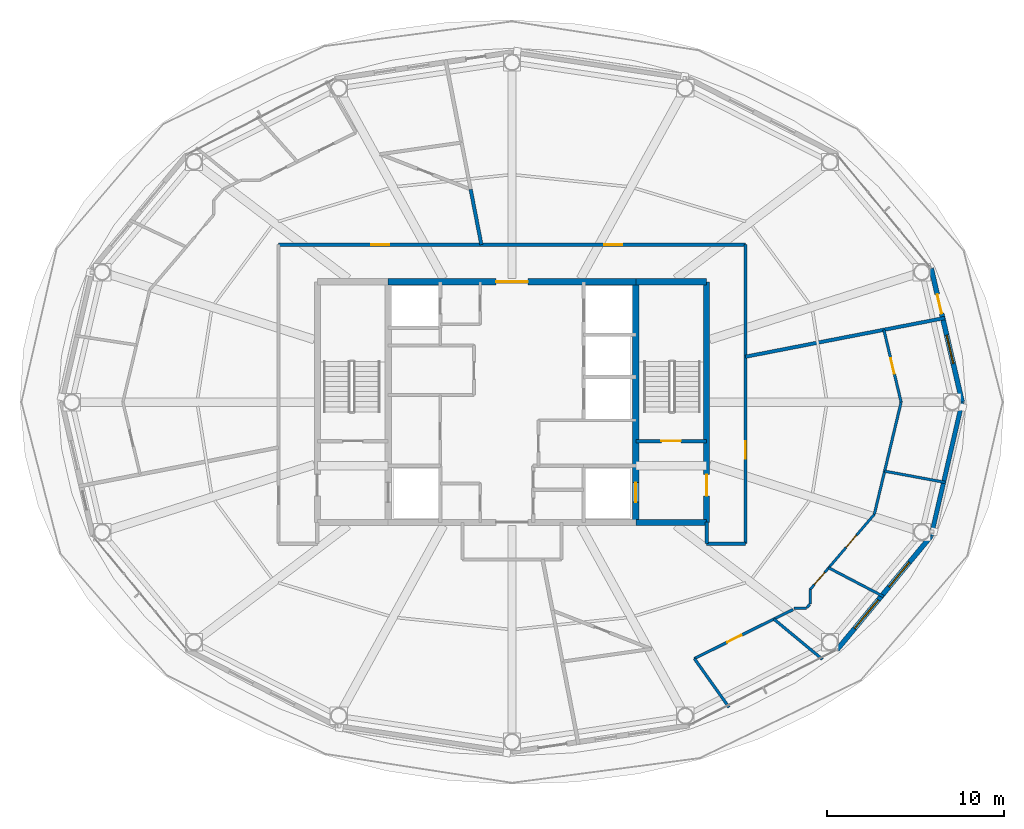
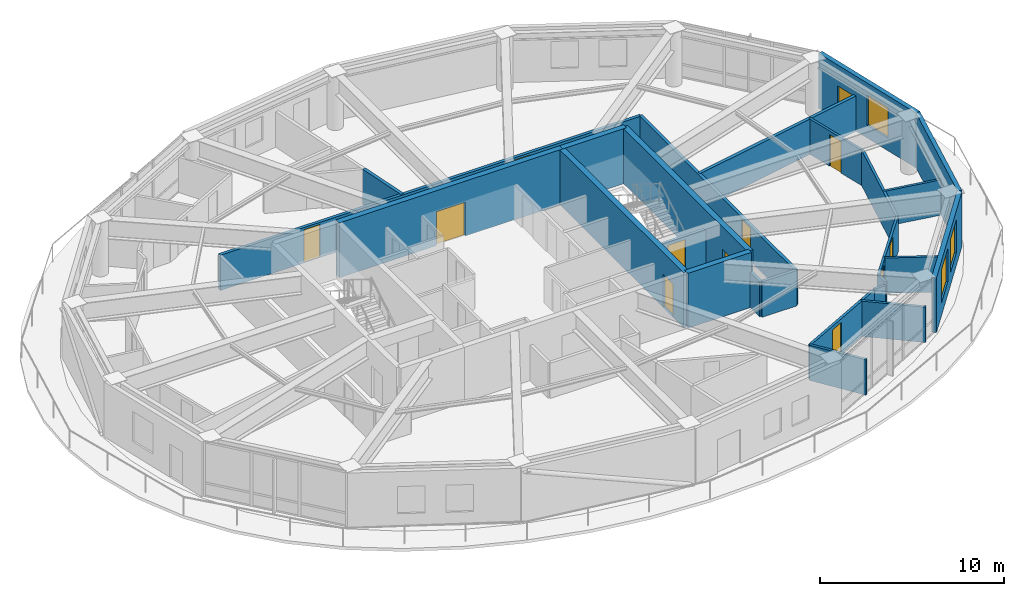
# One storey, part 20 of 24: 26 walls, 12 doors, 3 windows, 15 openings.
"""IFC4 building model written with IfcOpenShell, lengths in metres."""

from ifc_helpers import new_model, si_unit, direction, frame, frame_2d, origin, place, context, subcontext, project, spatial, rectangle, extrude, material, layer, layer_set, type_object, element, fill, save


model = new_model("IFC4")

# Units and contexts
model_context = context("Model", 3, precision=1e-05, world=origin(), true_north=direction((0.0, 1.0)))
body_context = subcontext(model_context, "Body", "Model", "MODEL_VIEW")
ifc_project = project(units=[si_unit("LENGTHUNIT", "METRE"), si_unit("AREAUNIT", "SQUARE_METRE"), si_unit("VOLUMEUNIT", "CUBIC_METRE"), si_unit("PLANEANGLEUNIT", "RADIAN"), si_unit("MASSUNIT", "GRAM", prefix="KILO")], contexts=[model_context])

# Site, building, storey
site_placement = place(None, origin())
site = spatial("IfcSite", under=ifc_project, at=site_placement, CompositionType="ELEMENT")
building_placement = place(site_placement, origin())
building = spatial("IfcBuilding", under=site, at=building_placement, Name="Sarneth Arch Tower", CompositionType="ELEMENT")
storey_placement = place(building_placement, frame((0.0, 0.0, 312.60009765625)))
storey = spatial("IfcBuildingStorey", under=building, at=storey_placement, Name="L81", CompositionType="ELEMENT", Elevation=312.60009765625)

# Wall
ifc_material_1 = material(Name="Concrete C50/60", Category="concrete")
ifc_layer_1 = layer(ifc_material_1, 0.35009765625)
ifc_layer_set_1 = layer_set([ifc_layer_1], Name="Concrete C50/60")
wall_type_1 = type_object("IfcWallType", Name="WALL-CORE-350", PredefinedType="SHEAR", material=ifc_layer_set_1)
wall_1_placement = place(storey_placement, frame((55.0, 35.199951171875, 0.0), z_axis=(0.0, 0.0, 1.0), x_axis=(1.0, 0.0, 0.0)))
element("IfcWall", 1, at=wall_1_placement, inside=storey, type_object=wall_type_1, Name="L81 Core shear wall S-E", PredefinedType="SHEAR", context=body_context, shape_type="SweptSolid", body=[
    extrude(rectangle(XDim=4.0, YDim=0.35009765625, at=frame_2d((2.0, 0.0))), origin(), (0.0, 0.0, 1.0), 3.639892578125),
])

# Wall, opening, door
wall_2_placement = place(storey_placement, frame((41.0, 48.800048828125, 0.0), z_axis=(0.0, 0.0, 1.0), x_axis=(1.0, 0.0, 0.0)))
wall_2 = element("IfcWall", 2, at=wall_2_placement, inside=storey, type_object=wall_type_1, Name="L81 Core shear wall N-M", PredefinedType="SHEAR", context=body_context, shape_type="SweptSolid", body=[
    extrude(rectangle(XDim=14.0, YDim=0.35009765625, at=frame_2d((7.0, 0.0))), origin(), (0.0, 0.0, 1.0), 3.639892578125),
])
opening_1_placement = place(wall_2_placement, frame((6.10009765625, 0.0, 0.0)))
opening_1 = element("IfcOpeningElement", 3, at=opening_1_placement, cuts=wall_2, Name="Opening FD-01", PredefinedType="OPENING", context=body_context, shape_type="SweptSolid", body=[
    extrude(rectangle(XDim=1.800048828125, YDim=2.25, at=frame_2d((0.89990234375, 1.125))), frame((0.0, 0.18505859375, 0.0), z_axis=(0.0, -1.0, 0.0), x_axis=(1.0, 0.0, 0.0)), (0.0, 0.0, 1.0), 0.3701171875),
])
ifc_material_2 = material(Name="Galvanised Steel S275 fire door set", Category="steel")
door_type_1 = type_object("IfcDoorType", Name="DR-FD90-1800", OperationType="DOUBLE_DOOR_SINGLE_SWING", PredefinedType="DOOR", material=ifc_material_2)
door_1_placement = place(opening_1_placement, origin())
door_1 = element("IfcDoor", 4, at=door_1_placement, inside=storey, type_object=door_type_1, Name="L81 Central lift lobby north door", OperationType="DOUBLE_DOOR_SINGLE_SWING", OverallHeight=2.25, OverallWidth=1.800048828125, PredefinedType="DOOR", context=body_context, shape_type="SweptSolid", body=[
    extrude(rectangle(XDim=1.800048828125, YDim=2.25, at=frame_2d((0.89990234375, 1.125))), frame((0.0, 0.02490234375, 0.0), z_axis=(0.0, -1.0, 0.0), x_axis=(1.0, 0.0, 0.0)), (0.0, 0.0, 1.0), 0.050048828125),
])
fill(opening_1, door_1)

# Wall
wall_3_placement = place(storey_placement, frame((55.0, 48.800048828125, 0.0), z_axis=(0.0, 0.0, 1.0), x_axis=(1.0, 0.0, 0.0)))
element("IfcWall", 5, at=wall_3_placement, inside=storey, type_object=wall_type_1, Name="L81 Core shear wall N-E", PredefinedType="SHEAR", context=body_context, shape_type="SweptSolid", body=[
    extrude(rectangle(XDim=4.0, YDim=0.35009765625, at=frame_2d((2.0, 0.0))), origin(), (0.0, 0.0, 1.0), 3.639892578125),
])

# Wall, opening, door
wall_4_placement = place(storey_placement, frame((59.0, 35.199951171875, 0.0), z_axis=(0.0, 0.0, 1.0), x_axis=(0.0, 1.0, 0.0)))
wall_4 = element("IfcWall", 6, at=wall_4_placement, inside=storey, type_object=wall_type_1, Name="L81 Core shear wall E", PredefinedType="SHEAR", context=body_context, shape_type="SweptSolid", body=[
    extrude(rectangle(XDim=13.60009765625, YDim=0.35009765625, at=frame_2d((6.800048828125, 0.0))), origin(), (0.0, 0.0, 1.0), 3.639892578125),
])
opening_2_placement = place(wall_4_placement, frame((1.5, 0.0, 0.0)))
opening_2 = element("IfcOpeningElement", 7, at=opening_2_placement, cuts=wall_4, Name="Opening FD-02", PredefinedType="OPENING", context=body_context, shape_type="SweptSolid", body=[
    extrude(rectangle(XDim=1.199951171875, YDim=2.14990234375, at=frame_2d((0.60009765625, 1.074951171875))), frame((0.0, 0.18505859375, 0.0), z_axis=(0.0, -1.0, 0.0), x_axis=(1.0, 0.0, 0.0)), (0.0, 0.0, 1.0), 0.3701171875),
])
ifc_material_3 = material(Name="Galvanised Steel S275 fire door set", Category="steel")
door_type_2 = type_object("IfcDoorType", Name="DR-FD90-1200", OperationType="SINGLE_SWING_LEFT", PredefinedType="DOOR", material=ifc_material_3)
door_2_placement = place(opening_2_placement, origin())
door_2 = element("IfcDoor", 8, at=door_2_placement, inside=storey, type_object=door_type_2, Name="L81 Firefighting lobby 2 exit door", OperationType="SINGLE_SWING_RIGHT", OverallHeight=2.14990234375, OverallWidth=1.199951171875, PredefinedType="DOOR", context=body_context, shape_type="SweptSolid", body=[
    extrude(rectangle(XDim=1.199951171875, YDim=2.14990234375, at=frame_2d((0.60009765625, 1.074951171875))), frame((0.0, 0.02490234375, 0.0), z_axis=(0.0, -1.0, 0.0), x_axis=(1.0, 0.0, 0.0)), (0.0, 0.0, 1.0), 0.050048828125),
])
fill(opening_2, door_2)

wall_5_placement = place(storey_placement, frame((55.0, 35.199951171875, 0.0), z_axis=(0.0, 0.0, 1.0), x_axis=(0.0, 1.0, 0.0)))
wall_5 = element("IfcWall", 9, at=wall_5_placement, inside=storey, type_object=wall_type_1, Name="L81 Core shear wall WEB-E", PredefinedType="SHEAR", context=body_context, shape_type="SweptSolid", body=[
    extrude(rectangle(XDim=13.60009765625, YDim=0.35009765625, at=frame_2d((6.800048828125, 0.0))), origin(), (0.0, 0.0, 1.0), 3.639892578125),
])
opening_3_placement = place(wall_5_placement, frame((1.14990234375, 0.0, 0.0)))
opening_3 = element("IfcOpeningElement", 10, at=opening_3_placement, cuts=wall_5, Name="Opening LD-1", PredefinedType="OPENING", context=body_context, shape_type="SweptSolid", body=[
    extrude(rectangle(XDim=1.10009765625, YDim=2.199951171875, at=frame_2d((0.550048828125, 1.10009765625))), frame((0.0, 0.18505859375, 0.0), z_axis=(0.0, -1.0, 0.0), x_axis=(1.0, 0.0, 0.0)), (0.0, 0.0, 1.0), 0.3701171875),
])
ifc_material_4 = material(Name="Brushed Stainless Steel 304 lift landing door", Category="steel")
door_type_3 = type_object("IfcDoorType", Name="DR-LIFT-SLIDE-1100", OperationType="SLIDING_TO_LEFT", PredefinedType="DOOR", material=ifc_material_4)
door_3_placement = place(opening_3_placement, origin())
door_3 = element("IfcDoor", 11, at=door_3_placement, inside=storey, type_object=door_type_3, Name="L81 Firefighting lift landing door FL-2", OperationType="SLIDING_TO_RIGHT", OverallHeight=2.199951171875, OverallWidth=1.10009765625, PredefinedType="DOOR", context=body_context, shape_type="SweptSolid", body=[
    extrude(rectangle(XDim=1.10009765625, YDim=2.199951171875, at=frame_2d((0.550048828125, 1.10009765625))), frame((0.0, 0.02490234375, 0.0), z_axis=(0.0, -1.0, 0.0), x_axis=(1.0, 0.0, 0.0)), (0.0, 0.0, 1.0), 0.050048828125),
])
fill(opening_3, door_3)

# Wall, openings, doors
ifc_material_5 = material(Name="Double steel-stud corridor fire wall", Category="steel")
ifc_layer_2 = layer(ifc_material_5, 0.18994140625)
ifc_layer_set_2 = layer_set([ifc_layer_2], Name="Double steel-stud corridor fire wall")
wall_type_2 = type_object("IfcWallType", Name="WALL-CORR-190", PredefinedType="PARTITIONING", material=ifc_layer_set_2)
wall_6_placement = place(storey_placement, frame((34.800048828125, 50.89990234375, 0.0), z_axis=(0.0, 0.0, 1.0), x_axis=(1.0, 0.0, 0.0)))
wall_6 = element("IfcWall", 12, at=wall_6_placement, inside=storey, type_object=wall_type_2, Name="L81 Interior partition W-L81-TP-001", PredefinedType="PARTITIONING", context=body_context, shape_type="SweptSolid", body=[
    extrude(rectangle(XDim=26.39990234375, YDim=0.18994140625, at=frame_2d((13.199951171875, 0.0))), origin(), (0.0, 0.0, 1.0), 2.33984375),
])
opening_4_placement = place(wall_6_placement, frame((18.418701171875, 0.0, 0.0)))
opening_4 = element("IfcOpeningElement", 13, at=opening_4_placement, cuts=wall_6, Name="Opening FD-08", PredefinedType="OPENING", context=body_context, shape_type="SweptSolid", body=[
    extrude(rectangle(XDim=1.0, YDim=2.199951171875, at=frame_2d((0.5, 1.10009765625))), frame((0.0, 0.10498046875, 0.0), z_axis=(0.0, -1.0, 0.0), x_axis=(1.0, 0.0, 0.0)), (0.0, 0.0, 1.0), 0.2099609375),
])
opening_5_placement = place(wall_6_placement, frame((5.251220703125, 0.0, 0.0)))
opening_5 = element("IfcOpeningElement", 14, at=opening_5_placement, cuts=wall_6, Name="Opening FD-08", PredefinedType="OPENING", context=body_context, shape_type="SweptSolid", body=[
    extrude(rectangle(XDim=1.0, YDim=2.199951171875, at=frame_2d((0.5, 1.10009765625))), frame((0.0, 0.10498046875, 0.0), z_axis=(0.0, -1.0, 0.0), x_axis=(1.0, 0.0, 0.0)), (0.0, 0.0, 1.0), 0.2099609375),
])
ifc_material_6 = material(Name="Hardwood timber acoustic fire door", Category="wood")
door_type_4 = type_object("IfcDoorType", Name="DR-FD60-1000", OperationType="SINGLE_SWING_LEFT", PredefinedType="DOOR", material=ifc_material_6)
door_4_placement = place(opening_4_placement, origin())
door_4 = element("IfcDoor", 15, at=door_4_placement, inside=storey, type_object=door_type_4, Name="L81 Interior door DR-L81-RAMN-01", OperationType="SINGLE_SWING_LEFT", OverallHeight=2.199951171875, OverallWidth=1.0, PredefinedType="DOOR", context=body_context, shape_type="SweptSolid", body=[
    extrude(rectangle(XDim=1.0, YDim=2.199951171875, at=frame_2d((0.5, 1.10009765625))), frame((0.0, 0.02490234375, 0.0), z_axis=(0.0, -1.0, 0.0), x_axis=(1.0, 0.0, 0.0)), (0.0, 0.0, 1.0), 0.050048828125),
])
fill(opening_4, door_4)
door_5_placement = place(opening_5_placement, origin())
door_5 = element("IfcDoor", 16, at=door_5_placement, inside=storey, type_object=door_type_4, Name="L81 Interior door DR-L81-U2-ENT", OperationType="SINGLE_SWING_LEFT", OverallHeight=2.199951171875, OverallWidth=1.0, PredefinedType="DOOR", context=body_context, shape_type="SweptSolid", body=[
    extrude(rectangle(XDim=1.0, YDim=2.199951171875, at=frame_2d((0.5, 1.10009765625))), frame((0.0, 0.02490234375, 0.0), z_axis=(0.0, -1.0, 0.0), x_axis=(1.0, 0.0, 0.0)), (0.0, 0.0, 1.0), 0.050048828125),
])
fill(opening_5, door_5)

# Wall, opening, door
wall_7_placement = place(storey_placement, frame((61.199951171875, 50.89990234375, 0.0), z_axis=(0.0, 0.0, 1.0), x_axis=(0.0, -1.0, 0.0)))
wall_7 = element("IfcWall", 17, at=wall_7_placement, inside=storey, type_object=wall_type_2, Name="L81 Interior partition W-L81-TP-008", PredefinedType="PARTITIONING", context=body_context, shape_type="SweptSolid", body=[
    extrude(rectangle(XDim=16.89990234375, YDim=0.18994140625, at=frame_2d((8.449951171875, 0.0))), origin(), (0.0, 0.0, 1.0), 2.33984375),
])
opening_6_placement = place(wall_7_placement, frame((11.100830078125, 0.0, 0.0)))
opening_6 = element("IfcOpeningElement", 18, at=opening_6_placement, cuts=wall_7, Name="Opening FD-08", PredefinedType="OPENING", context=body_context, shape_type="SweptSolid", body=[
    extrude(rectangle(XDim=1.0, YDim=2.199951171875, at=frame_2d((0.5, 1.10009765625))), frame((0.0, 0.10498046875, 0.0), z_axis=(0.0, -1.0, 0.0), x_axis=(1.0, 0.0, 0.0)), (0.0, 0.0, 1.0), 0.2099609375),
])
door_6_placement = place(opening_6_placement, origin())
door_6 = element("IfcDoor", 19, at=door_6_placement, inside=storey, type_object=door_type_4, Name="L81 Interior door DR-L81-U4-ENT", OperationType="SINGLE_SWING_RIGHT", OverallHeight=2.199951171875, OverallWidth=1.0, PredefinedType="DOOR", context=body_context, shape_type="SweptSolid", body=[
    extrude(rectangle(XDim=1.0, YDim=2.199951171875, at=frame_2d((0.5, 1.10009765625))), frame((0.0, 0.02490234375, 0.0), z_axis=(0.0, -1.0, 0.0), x_axis=(1.0, 0.0, 0.0)), (0.0, 0.0, 1.0), 0.050048828125),
])
fill(opening_6, door_6)

# Walls
wall_8_placement = place(storey_placement, frame((61.199951171875, 34.0, 0.0), z_axis=(0.0, 0.0, 1.0), x_axis=(-1.0, 0.0, 0.0)))
element("IfcWall", 20, at=wall_8_placement, inside=storey, type_object=wall_type_2, Name="L81 Interior partition W-L81-TP-009", PredefinedType="PARTITIONING", context=body_context, shape_type="SweptSolid", body=[
    extrude(rectangle(XDim=2.199951171875, YDim=0.18994140625, at=frame_2d((1.10009765625, 0.0))), origin(), (0.0, 0.0, 1.0), 2.33984375),
])
wall_9_placement = place(storey_placement, frame((59.0, 34.0, 0.0), z_axis=(0.0, 0.0, 1.0), x_axis=(0.0, 1.0, 0.0)))
element("IfcWall", 21, at=wall_9_placement, inside=storey, type_object=wall_type_2, Name="L81 Interior partition W-L81-TP-010", PredefinedType="PARTITIONING", context=body_context, shape_type="SweptSolid", body=[
    extrude(rectangle(XDim=1.23193359375, YDim=0.18994140625, at=frame_2d((0.615966796875, 0.0))), origin(), (0.0, 0.0, 1.0), 2.33984375),
])
ifc_material_7 = material(Name="Extruded terracotta rainscreen on Concrete C40/50 backing", Category="masonry")
ifc_layer_3 = layer(ifc_material_7, 0.25)
ifc_layer_set_3 = layer_set([ifc_layer_3], Name="Extruded terracotta rainscreen on Concrete C40/50 backing")
wall_type_3 = type_object("IfcWallType", Name="WALL-EXT-SPAND-250", PredefinedType="SOLIDWALL", material=ifc_layer_set_3)
wall_10_placement = place(storey_placement, frame((71.69384765625, 34.430419921875, 0.0), z_axis=(0.0, 0.0, 1.0), x_axis=(0.225635078214, 0.974211892495, 0.0)))
element("IfcWall", 22, at=wall_10_placement, inside=storey, type_object=wall_type_3, Name="L81 Terracotta perimeter wall 16", PredefinedType="SOLIDWALL", context=body_context, shape_type="SweptSolid", body=[
    extrude(rectangle(XDim=7.77001953125, YDim=0.25, at=frame_2d((3.885009765625, 0.0))), origin(), (0.0, 0.0, 1.0), 3.639892578125),
])

# Wall, openings, door, window
ifc_material_8 = material(Name="Extruded terracotta rainscreen on Concrete C40/50 backing", Category="masonry")
ifc_layer_4 = layer(ifc_material_8, 0.280029296875)
ifc_layer_set_4 = layer_set([ifc_layer_4], Name="Extruded terracotta rainscreen on Concrete C40/50 backing")
wall_type_4 = type_object("IfcWallType", Name="WALL-EXT-TERRA-280", PredefinedType="SOLIDWALL", material=ifc_layer_set_4)
wall_11_placement = place(storey_placement, frame((73.447021484375, 42.0, 0.0), z_axis=(0.0, 0.0, 1.0), x_axis=(-0.225635078214, 0.974211892495, 0.0)))
wall_11 = element("IfcWall", 23, at=wall_11_placement, inside=storey, type_object=wall_type_4, Name="L81 Terracotta perimeter wall 01", PredefinedType="SOLIDWALL", context=body_context, shape_type="SweptSolid", body=[
    extrude(rectangle(XDim=7.77001953125, YDim=0.280029296875, at=frame_2d((3.885009765625, 0.0))), origin(), (0.0, 0.0, 1.0), 3.639892578125),
])
opening_7_placement = place(wall_11_placement, frame((2.24072265625, 0.0, 0.85009765625)))
opening_7 = element("IfcOpeningElement", 24, at=opening_7_placement, cuts=wall_11, Name="Opening W-05", PredefinedType="OPENING", context=body_context, shape_type="SweptSolid", body=[
    extrude(rectangle(XDim=1.64990234375, YDim=2.0, at=frame_2d((0.824951171875, 1.0))), frame((0.0, 0.14990234375, 0.0), z_axis=(0.0, -1.0, 0.0), x_axis=(1.0, 0.0, 0.0)), (0.0, 0.0, 1.0), 0.300048828125),
])
opening_8_placement = place(wall_11_placement, frame((5.14208984375, 0.0, 0.0)))
opening_8 = element("IfcOpeningElement", 25, at=opening_8_placement, cuts=wall_11, Name="Opening BD-3", PredefinedType="OPENING", context=body_context, shape_type="SweptSolid", body=[
    extrude(rectangle(XDim=1.10009765625, YDim=2.25, at=frame_2d((0.550048828125, 1.125))), frame((0.0, 0.14990234375, 0.0), z_axis=(0.0, -1.0, 0.0), x_axis=(1.0, 0.0, 0.0)), (0.0, 0.0, 1.0), 0.300048828125),
])
ifc_material_9 = material(Name="Thermally broken Aluminium 6063-T6 and laminated safety glass", Category="aluminium")
door_type_5 = type_object("IfcDoorType", Name="DR-BALC-GLZ-1100", OperationType="SINGLE_SWING_LEFT", PredefinedType="DOOR", material=ifc_material_9)
door_7_placement = place(opening_8_placement, origin())
door_7 = element("IfcDoor", 26, at=door_7_placement, inside=storey, type_object=door_type_5, Name="L81 Balcony glazed door 01", OperationType="SINGLE_SWING_LEFT", OverallHeight=2.25, OverallWidth=1.10009765625, PredefinedType="DOOR", context=body_context, shape_type="SweptSolid", body=[
    extrude(rectangle(XDim=1.10009765625, YDim=2.25, at=frame_2d((0.550048828125, 1.125))), frame((0.0, 0.02490234375, 0.0), z_axis=(0.0, -1.0, 0.0), x_axis=(1.0, 0.0, 0.0)), (0.0, 0.0, 1.0), 0.050048828125),
])
fill(opening_8, door_7)
ifc_material_10 = material(Name="Thermally broken Aluminium 6063-T6 and low-e laminated IGU", Category="aluminium")
window_type_1 = type_object("IfcWindowType", Name="WIN-TWR-1650x2000", PartitioningType="DOUBLE_PANEL_VERTICAL", PredefinedType="WINDOW", material=ifc_material_10)
window_1_placement = place(opening_7_placement, origin())
window_1 = element("IfcWindow", 27, at=window_1_placement, inside=storey, type_object=window_type_1, Name="L81 Exterior window 01A", OverallHeight=2.0, OverallWidth=1.64990234375, PartitioningType="SINGLE_PANEL", PredefinedType="WINDOW", context=body_context, shape_type="SweptSolid", body=[
    extrude(rectangle(XDim=1.64990234375, YDim=2.0, at=frame_2d((0.824951171875, 1.0))), frame((0.0, 0.030029296875, 0.0), z_axis=(0.0, -1.0, 0.0), x_axis=(1.0, 0.0, 0.0)), (0.0, 0.0, 1.0), 0.06005859375),
])
fill(opening_7, window_1)

# Wall, openings, windows
wall_12_placement = place(storey_placement, frame((66.382568359375, 28.013427734375, 0.0), z_axis=(0.0, 0.0, 1.0), x_axis=(0.63761509934, 0.770355103243, 0.0)))
wall_12 = element("IfcWall", 28, at=wall_12_placement, inside=storey, type_object=wall_type_4, Name="L81 Terracotta perimeter wall 15", PredefinedType="SOLIDWALL", context=body_context, shape_type="SweptSolid", body=[
    extrude(rectangle(XDim=8.329833984375, YDim=0.280029296875, at=frame_2d((4.1650390625, 0.0))), origin(), (0.0, 0.0, 1.0), 3.639892578125),
])
opening_9_placement = place(wall_12_placement, frame((1.543212890625, 0.0, 0.85009765625)))
opening_9 = element("IfcOpeningElement", 29, at=opening_9_placement, cuts=wall_12, Name="Opening W-03", PredefinedType="OPENING", context=body_context, shape_type="SweptSolid", body=[
    extrude(rectangle(XDim=2.10009765625, YDim=2.199951171875, at=frame_2d((1.050048828125, 1.10009765625))), frame((0.0, 0.14990234375, 0.0), z_axis=(0.0, -1.0, 0.0), x_axis=(1.0, 0.0, 0.0)), (0.0, 0.0, 1.0), 0.300048828125),
])
opening_10_placement = place(wall_12_placement, frame((4.598388671875, 0.0, 0.85009765625)))
opening_10 = element("IfcOpeningElement", 30, at=opening_10_placement, cuts=wall_12, Name="Opening W-04", PredefinedType="OPENING", context=body_context, shape_type="SweptSolid", body=[
    extrude(rectangle(XDim=1.800048828125, YDim=2.199951171875, at=frame_2d((0.89990234375, 1.10009765625))), frame((0.0, 0.14990234375, 0.0), z_axis=(0.0, -1.0, 0.0), x_axis=(1.0, 0.0, 0.0)), (0.0, 0.0, 1.0), 0.300048828125),
])
ifc_material_11 = material(Name="Thermally broken Aluminium 6063-T6 and low-e laminated IGU", Category="aluminium")
window_type_2 = type_object("IfcWindowType", Name="WIN-TWR-1800x2200", PartitioningType="DOUBLE_PANEL_VERTICAL", PredefinedType="WINDOW", material=ifc_material_11)
window_2_placement = place(opening_10_placement, origin())
window_2 = element("IfcWindow", 31, at=window_2_placement, inside=storey, type_object=window_type_2, Name="L81 Exterior window 15B", OverallHeight=2.199951171875, OverallWidth=1.800048828125, PartitioningType="SINGLE_PANEL", PredefinedType="WINDOW", context=body_context, shape_type="SweptSolid", body=[
    extrude(rectangle(XDim=1.800048828125, YDim=2.199951171875, at=frame_2d((0.89990234375, 1.10009765625))), frame((0.0, 0.030029296875, 0.0), z_axis=(0.0, -1.0, 0.0), x_axis=(1.0, 0.0, 0.0)), (0.0, 0.0, 1.0), 0.06005859375),
])
fill(opening_10, window_2)
ifc_material_12 = material(Name="Thermally broken Aluminium 6063-T6 and low-e laminated IGU", Category="aluminium")
window_type_3 = type_object("IfcWindowType", Name="WIN-TWR-2100x2200", PartitioningType="DOUBLE_PANEL_VERTICAL", PredefinedType="WINDOW", material=ifc_material_12)
window_3_placement = place(opening_9_placement, origin())
window_3 = element("IfcWindow", 32, at=window_3_placement, inside=storey, type_object=window_type_3, Name="L81 Exterior window 15A", OverallHeight=2.199951171875, OverallWidth=2.10009765625, PartitioningType="SINGLE_PANEL", PredefinedType="WINDOW", context=body_context, shape_type="SweptSolid", body=[
    extrude(rectangle(XDim=2.10009765625, YDim=2.199951171875, at=frame_2d((1.050048828125, 1.10009765625))), frame((0.0, 0.030029296875, 0.0), z_axis=(0.0, -1.0, 0.0), x_axis=(1.0, 0.0, 0.0)), (0.0, 0.0, 1.0), 0.06005859375),
])
fill(opening_9, window_3)

# Wall, openings, doors
ifc_material_13 = material(Name="Apartment internal stud partition", Category="gypsum")
ifc_layer_5 = layer(ifc_material_13, 0.139892578125)
ifc_layer_set_5 = layer_set([ifc_layer_5], Name="Apartment internal stud partition")
wall_type_5 = type_object("IfcWallType", Name="WALL-PART-140", PredefinedType="PARTITIONING", material=ifc_layer_set_5)
wall_13_placement = place(storey_placement, frame((68.48095703125, 35.655029296875, 0.0), z_axis=(0.0, 0.0, 1.0), x_axis=(-0.649186624806, -0.760629164688, 0.0)))
wall_13 = element("IfcWall", 33, at=wall_13_placement, inside=storey, type_object=wall_type_5, Name="L81 Interior partition W-L81-TP-054", PredefinedType="PARTITIONING", context=body_context, shape_type="SweptSolid", body=[
    extrude(rectangle(XDim=5.593017578125, YDim=0.139892578125, at=frame_2d((2.79638671875, 0.0))), origin(), (0.0, 0.0, 1.0), 2.33984375),
])
opening_11_placement = place(wall_13_placement, frame((1.553466796875, 0.0, 0.0)))
opening_11 = element("IfcOpeningElement", 34, at=opening_11_placement, cuts=wall_13, Name="Opening ID-01", PredefinedType="OPENING", context=body_context, shape_type="SweptSolid", body=[
    extrude(rectangle(XDim=0.89990234375, YDim=2.10009765625, at=frame_2d((0.449951171875, 1.050048828125))), frame((0.0, 0.079833984375, 0.0), z_axis=(0.0, -1.0, 0.0), x_axis=(1.0, 0.0, 0.0)), (0.0, 0.0, 1.0), 0.159912109375),
])
opening_12_placement = place(wall_13_placement, frame((4.317138671875, 0.0, 0.0)))
opening_12 = element("IfcOpeningElement", 35, at=opening_12_placement, cuts=wall_13, Name="Opening ID-01", PredefinedType="OPENING", context=body_context, shape_type="SweptSolid", body=[
    extrude(rectangle(XDim=0.89990234375, YDim=2.10009765625, at=frame_2d((0.449951171875, 1.050048828125))), frame((0.0, 0.079833984375, 0.0), z_axis=(0.0, -1.0, 0.0), x_axis=(1.0, 0.0, 0.0)), (0.0, 0.0, 1.0), 0.159912109375),
])
ifc_material_14 = material(Name="Engineered hardwood flush door", Category="wood")
door_type_6 = type_object("IfcDoorType", Name="DR-INT-900", OperationType="SINGLE_SWING_LEFT", PredefinedType="DOOR", material=ifc_material_14)
door_8_placement = place(opening_11_placement, origin())
door_8 = element("IfcDoor", 36, at=door_8_placement, inside=storey, type_object=door_type_6, Name="L81 Interior door DR-L81-U4-BED2", OperationType="SINGLE_SWING_LEFT", OverallHeight=2.10009765625, OverallWidth=0.89990234375, PredefinedType="DOOR", context=body_context, shape_type="SweptSolid", body=[
    extrude(rectangle(XDim=0.89990234375, YDim=2.10009765625, at=frame_2d((0.449951171875, 1.050048828125))), frame((0.0, 0.02490234375, 0.0), z_axis=(0.0, -1.0, 0.0), x_axis=(1.0, 0.0, 0.0)), (0.0, 0.0, 1.0), 0.050048828125),
])
fill(opening_11, door_8)
door_9_placement = place(opening_12_placement, origin())
door_9 = element("IfcDoor", 37, at=door_9_placement, inside=storey, type_object=door_type_6, Name="L81 Interior door DR-L81-U4-BED1", OperationType="SINGLE_SWING_RIGHT", OverallHeight=2.10009765625, OverallWidth=0.89990234375, PredefinedType="DOOR", context=body_context, shape_type="SweptSolid", body=[
    extrude(rectangle(XDim=0.89990234375, YDim=2.10009765625, at=frame_2d((0.449951171875, 1.050048828125))), frame((0.0, 0.02490234375, 0.0), z_axis=(0.0, -1.0, 0.0), x_axis=(1.0, 0.0, 0.0)), (0.0, 0.0, 1.0), 0.050048828125),
])
fill(opening_12, door_9)

# Wall, opening, door
ifc_material_15 = material(Name="Acoustic gypsum stud partition", Category="gypsum")
ifc_layer_6 = layer(ifc_material_15, 0.14990234375)
ifc_layer_set_6 = layer_set([ifc_layer_6], Name="Acoustic gypsum stud partition")
wall_type_6 = type_object("IfcWallType", Name="WALL-PART-150", PredefinedType="PARTITIONING", material=ifc_layer_set_6)
wall_14_placement = place(storey_placement, frame((69.996337890625, 42.0, 0.0), z_axis=(0.0, 0.0, 1.0), x_axis=(-0.23229355625, 0.972645723645, 0.0)))
wall_14 = element("IfcWall", 38, at=wall_14_placement, inside=storey, type_object=wall_type_6, Name="L81 Interior partition W-L81-TP-056", PredefinedType="PARTITIONING", context=body_context, shape_type="SweptSolid", body=[
    extrude(rectangle(XDim=4.200927734375, YDim=0.14990234375, at=frame_2d((2.1005859375, 0.0))), origin(), (0.0, 0.0, 1.0), 2.33984375),
])
opening_13_placement = place(wall_14_placement, frame((1.650390625, 0.0, 0.0)))
opening_13 = element("IfcOpeningElement", 39, at=opening_13_placement, cuts=wall_14, Name="Opening ID-01", PredefinedType="OPENING", context=body_context, shape_type="SweptSolid", body=[
    extrude(rectangle(XDim=0.89990234375, YDim=2.10009765625, at=frame_2d((0.449951171875, 1.050048828125))), frame((0.0, 0.0849609375, 0.0), z_axis=(0.0, -1.0, 0.0), x_axis=(1.0, 0.0, 0.0)), (0.0, 0.0, 1.0), 0.169921875),
])
door_10_placement = place(opening_13_placement, origin())
door_10 = element("IfcDoor", 40, at=door_10_placement, inside=storey, type_object=door_type_6, Name="L81 Interior door DR-L81-U4-BED3", OperationType="SINGLE_SWING_LEFT", OverallHeight=2.10009765625, OverallWidth=0.89990234375, PredefinedType="DOOR", context=body_context, shape_type="SweptSolid", body=[
    extrude(rectangle(XDim=0.89990234375, YDim=2.10009765625, at=frame_2d((0.449951171875, 1.050048828125))), frame((0.0, 0.02490234375, 0.0), z_axis=(0.0, -1.0, 0.0), x_axis=(1.0, 0.0, 0.0)), (0.0, 0.0, 1.0), 0.050048828125),
])
fill(opening_13, door_10)

# Walls
wall_15_placement = place(storey_placement, frame((68.48095703125, 35.655029296875, 0.0), z_axis=(0.0, 0.0, 1.0), x_axis=(0.232298462197, 0.972644551962, 0.0)))
element("IfcWall", 41, at=wall_15_placement, inside=storey, type_object=wall_type_6, Name="L81 Interior partition W-L81-TP-055", PredefinedType="PARTITIONING", context=body_context, shape_type="SweptSolid", body=[
    extrude(rectangle(XDim=6.5234375, YDim=0.14990234375, at=frame_2d((3.26171875, 0.0))), origin(), (0.0, 0.0, 1.0), 2.33984375),
])
wall_16_placement = place(storey_placement, frame((72.517822265625, 37.456787109375, 0.0), z_axis=(0.0, 0.0, 1.0), x_axis=(-0.983264946239, 0.182181353322, 0.0)))
element("IfcWall", 42, at=wall_16_placement, inside=storey, type_object=wall_type_6, Name="L81 Interior partition W-L81-TP-059", PredefinedType="PARTITIONING", context=body_context, shape_type="SweptSolid", body=[
    extrude(rectangle(XDim=3.512451171875, YDim=0.14990234375, at=frame_2d((1.75634765625, 0.0))), origin(), (0.0, 0.0, 1.0), 2.33984375),
])
wall_17_placement = place(storey_placement, frame((65.90087890625, 32.63232421875, 0.0), z_axis=(0.0, 0.0, 1.0), x_axis=(0.886011177193, -0.463663880293, 0.0)))
element("IfcWall", 43, at=wall_17_placement, inside=storey, type_object=wall_type_6, Name="L81 Interior partition W-L81-TP-058", PredefinedType="PARTITIONING", context=body_context, shape_type="SweptSolid", body=[
    extrude(rectangle(XDim=3.510009765625, YDim=0.14990234375, at=frame_2d((1.7548828125, 0.0))), origin(), (0.0, 0.0, 1.0), 2.33984375),
])
wall_18_placement = place(storey_placement, frame((64.85009765625, 31.401123046875, 0.0), z_axis=(0.0, 0.0, 1.0), x_axis=(0.0, -1.0, 0.0)))
element("IfcWall", 44, at=wall_18_placement, inside=storey, type_object=wall_type_6, Name="L81 Interior partition W-L81-TP-049", PredefinedType="PARTITIONING", context=body_context, shape_type="SweptSolid", body=[
    extrude(rectangle(XDim=0.8115234375, YDim=0.14990234375, at=frame_2d((0.40576171875, 0.0))), origin(), (0.0, 0.0, 1.0), 2.33984375),
])
wall_19_placement = place(storey_placement, frame((64.6455078125, 30.35009765625, 0.0), z_axis=(0.0, 0.0, 1.0), x_axis=(-1.0, 0.0, 0.0)))
element("IfcWall", 45, at=wall_19_placement, inside=storey, type_object=wall_type_6, Name="L81 Interior partition W-L81-TP-051", PredefinedType="PARTITIONING", context=body_context, shape_type="SweptSolid", body=[
    extrude(rectangle(XDim=0.692626953125, YDim=0.14990234375, at=frame_2d((0.34619140625, 0.0))), origin(), (0.0, 0.0, 1.0), 2.33984375),
])
wall_20_placement = place(storey_placement, frame((64.823974609375, 30.559326171875, 0.0), z_axis=(0.0, 0.0, 1.0), x_axis=(-0.648874632887, -0.760895334981, 0.0)))
element("IfcWall", 46, at=wall_20_placement, inside=storey, type_object=wall_type_6, Name="L81 Interior partition W-L81-TP-050", PredefinedType="PARTITIONING", context=body_context, shape_type="SweptSolid", body=[
    extrude(rectangle(XDim=0.23095703125, YDim=0.14990234375, at=frame_2d((0.115478515625, 0.0))), origin(), (0.0, 0.0, 1.0), 2.33984375),
])

# Wall, opening, door
ifc_material_16 = material(Name="Kitchen wet service chase wall", Category="gypsum")
ifc_layer_7 = layer(ifc_material_16, 0.159912109375)
ifc_layer_set_7 = layer_set([ifc_layer_7], Name="Kitchen wet service chase wall")
wall_type_7 = type_object("IfcWallType", Name="WALL-PLUMB-160", PredefinedType="PLUMBINGWALL", material=ifc_layer_set_7)
wall_21_placement = place(storey_placement, frame((63.889892578125, 30.276123046875, 0.0), z_axis=(0.0, 0.0, 1.0), x_axis=(-0.895583517023, -0.444893429977, 0.0)))
wall_21 = element("IfcWall", 47, at=wall_21_placement, inside=storey, type_object=wall_type_7, Name="L81 Interior partition W-L81-TP-044", PredefinedType="PLUMBINGWALL", context=body_context, shape_type="SweptSolid", body=[
    extrude(rectangle(XDim=6.2333984375, YDim=0.159912109375, at=frame_2d((3.11669921875, 0.0))), origin(), (0.0, 0.0, 1.0), 2.33984375),
])
opening_14_placement = place(wall_21_placement, frame((3.257080078125, 0.0, 0.0)))
opening_14 = element("IfcOpeningElement", 48, at=opening_14_placement, cuts=wall_21, Name="Opening ID-01", PredefinedType="OPENING", context=body_context, shape_type="SweptSolid", body=[
    extrude(rectangle(XDim=0.89990234375, YDim=2.10009765625, at=frame_2d((0.449951171875, 1.050048828125))), frame((0.0, 0.08984375, 0.0), z_axis=(0.0, -1.0, 0.0), x_axis=(1.0, 0.0, 0.0)), (0.0, 0.0, 1.0), 0.179931640625),
])
door_11_placement = place(opening_14_placement, origin())
door_11 = element("IfcDoor", 49, at=door_11_placement, inside=storey, type_object=door_type_6, Name="L81 Interior door DR-L81-U4-KIT", OperationType="SINGLE_SWING_RIGHT", OverallHeight=2.10009765625, OverallWidth=0.89990234375, PredefinedType="DOOR", context=body_context, shape_type="SweptSolid", body=[
    extrude(rectangle(XDim=0.89990234375, YDim=2.10009765625, at=frame_2d((0.449951171875, 1.050048828125))), frame((0.0, 0.02490234375, 0.0), z_axis=(0.0, -1.0, 0.0), x_axis=(1.0, 0.0, 0.0)), (0.0, 0.0, 1.0), 0.050048828125),
])
fill(opening_14, door_11)

# Walls
wall_22_placement = place(storey_placement, frame((65.54541015625, 27.460693359375, 0.0), z_axis=(0.0, 0.0, 1.0), x_axis=(-0.770009063214, 0.63803294787, 0.0)))
element("IfcWall", 50, at=wall_22_placement, inside=storey, type_object=wall_type_7, Name="L81 Interior partition W-L81-TP-057", PredefinedType="PLUMBINGWALL", context=body_context, shape_type="SweptSolid", body=[
    extrude(rectangle(XDim=3.564697265625, YDim=0.159912109375, at=frame_2d((1.7822265625, 0.0))), origin(), (0.0, 0.0, 1.0), 2.33984375),
])
wall_23_placement = place(storey_placement, frame((58.307373046875, 27.5029296875, 0.0), z_axis=(0.0, 0.0, 1.0), x_axis=(0.579474768135, -0.814990179754, 0.0)))
element("IfcWall", 51, at=wall_23_placement, inside=storey, type_object=wall_type_7, Name="L81 Interior partition W-L81-TP-045", PredefinedType="PLUMBINGWALL", context=body_context, shape_type="SweptSolid", body=[
    extrude(rectangle(XDim=3.38134765625, YDim=0.159912109375, at=frame_2d((1.690673828125, 0.0))), origin(), (0.0, 0.0, 1.0), 2.33984375),
])

# Wall, opening, door
ifc_material_17 = material(Name="Aerated concrete blockwork C25/30", Category="masonry")
ifc_layer_8 = layer(ifc_material_17, 0.199951171875)
ifc_layer_set_8 = layer_set([ifc_layer_8], Name="Aerated concrete blockwork C25/30")
wall_type_8 = type_object("IfcWallType", Name="WALL-SHAFT-200", PredefinedType="SOLIDWALL", material=ifc_layer_set_8)
wall_24_placement = place(storey_placement, frame((55.0, 39.800048828125, 0.0), z_axis=(0.0, 0.0, 1.0), x_axis=(1.0, 0.0, 0.0)))
wall_24 = element("IfcWall", 52, at=wall_24_placement, inside=storey, type_object=wall_type_8, Name="L81 Interior partition W-L81-ST2-S", PredefinedType="SOLIDWALL", context=body_context, shape_type="SweptSolid", body=[
    extrude(rectangle(XDim=4.0, YDim=0.199951171875, at=frame_2d((2.0, 0.0))), origin(), (0.0, 0.0, 1.0), 2.33984375),
])
opening_15_placement = place(wall_24_placement, frame((1.449951171875, 0.0, 0.0)))
opening_15 = element("IfcOpeningElement", 53, at=opening_15_placement, cuts=wall_24, Name="Opening FD-03", PredefinedType="OPENING", context=body_context, shape_type="SweptSolid", body=[
    extrude(rectangle(XDim=1.10009765625, YDim=2.14990234375, at=frame_2d((0.550048828125, 1.074951171875))), frame((0.0, 0.10986328125, 0.0), z_axis=(0.0, -1.0, 0.0), x_axis=(1.0, 0.0, 0.0)), (0.0, 0.0, 1.0), 0.219970703125),
])
ifc_material_18 = material(Name="Galvanised Steel S275 fire door set", Category="steel")
door_type_7 = type_object("IfcDoorType", Name="DR-FD90-1100", OperationType="SINGLE_SWING_LEFT", PredefinedType="DOOR", material=ifc_material_18)
door_12_placement = place(opening_15_placement, origin())
door_12 = element("IfcDoor", 54, at=door_12_placement, inside=storey, type_object=door_type_7, Name="L81 Interior door DR-L81-ST2", OperationType="SINGLE_SWING_RIGHT", OverallHeight=2.14990234375, OverallWidth=1.10009765625, PredefinedType="DOOR", context=body_context, shape_type="SweptSolid", body=[
    extrude(rectangle(XDim=1.10009765625, YDim=2.14990234375, at=frame_2d((0.550048828125, 1.074951171875))), frame((0.0, 0.02490234375, 0.0), z_axis=(0.0, -1.0, 0.0), x_axis=(1.0, 0.0, 0.0)), (0.0, 0.0, 1.0), 0.050048828125),
])
fill(opening_15, door_12)

# Walls
ifc_material_19 = material(Name="Double steel-stud acoustic drywall", Category="steel")
ifc_layer_9 = layer(ifc_material_19, 0.199951171875)
ifc_layer_set_9 = layer_set([ifc_layer_9], Name="Double steel-stud acoustic drywall")
wall_type_9 = type_object("IfcWallType", Name="WALL-UNIT-200", PredefinedType="PARTITIONING", material=ifc_layer_set_9)
wall_25_placement = place(storey_placement, frame((61.199951171875, 44.56591796875, 0.0), z_axis=(0.0, 0.0, 1.0), x_axis=(0.981626456647, 0.190812734402, 0.0)))
element("IfcWall", 55, at=wall_25_placement, inside=storey, type_object=wall_type_9, Name="L81 Interior partition W-L81-TP-018", PredefinedType="PARTITIONING", context=body_context, shape_type="SweptSolid", body=[
    extrude(rectangle(XDim=11.4794921875, YDim=0.199951171875, at=frame_2d((5.73974609375, 0.0))), origin(), (0.0, 0.0, 1.0), 2.33984375),
])
wall_26_placement = place(storey_placement, frame((45.66259765625, 54.0244140625, 0.0), z_axis=(0.0, 0.0, 1.0), x_axis=(0.190832705503, -0.981622574369, 0.0)))
element("IfcWall", 56, at=wall_26_placement, inside=storey, type_object=wall_type_9, Name="L81 Interior partition W-L81-TP-016", PredefinedType="PARTITIONING", context=body_context, shape_type="SweptSolid", body=[
    extrude(rectangle(XDim=3.18310546875, YDim=0.199951171875, at=frame_2d((1.591552734375, 0.0))), origin(), (0.0, 0.0, 1.0), 2.33984375),
])

save(model, "model.ifc")
